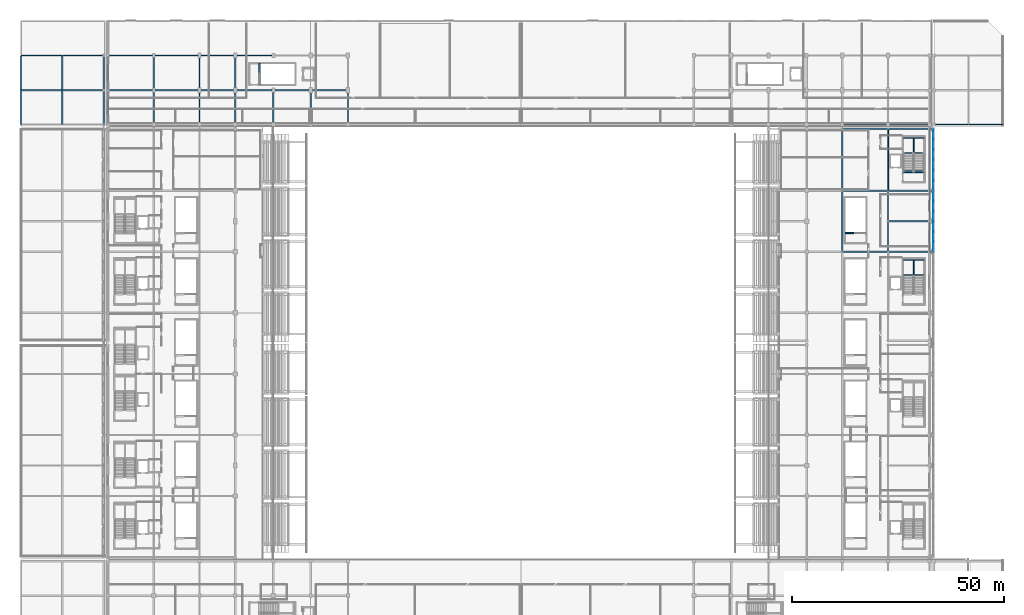
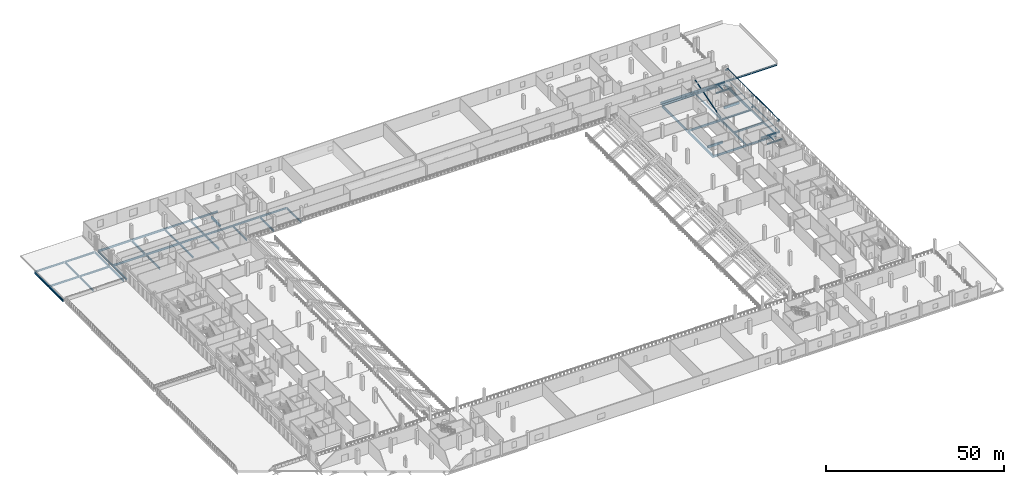
# One storey, part 20 of 74: 65 beams, 5 members.
"""IFC4 building model written with IfcOpenShell, lengths in metres."""

from ifc_helpers import new_model, si_unit, direction, frame, origin, origin_2d, place, context, subcontext, project, spatial, rectangle, hollow_rectangle, hollow_circle, i_section, extrude, material, material_profile, profile_set, type_object, element, save


model = new_model("IFC4")

# Units and contexts
model_context = context("Model", 3, precision=1e-05, world=origin(), true_north=direction((0.0, 1.0)))
body_context = subcontext(model_context, "Body", "Model", "MODEL_VIEW")
ifc_project = project(units=[si_unit("LENGTHUNIT", "METRE"), si_unit("AREAUNIT", "SQUARE_METRE"), si_unit("VOLUMEUNIT", "CUBIC_METRE"), si_unit("PLANEANGLEUNIT", "RADIAN"), si_unit("MASSUNIT", "GRAM", prefix="KILO")], contexts=[model_context])

# Site, building, storey
site_placement = place(None, origin())
site = spatial("IfcSite", under=ifc_project, at=site_placement, CompositionType="ELEMENT")
building_placement = place(site_placement, origin())
building = spatial("IfcBuilding", under=site, at=building_placement, Name="Koshinbarg Plaza Stadium", CompositionType="ELEMENT")
storey_placement = place(building_placement, frame((0.0, 0.0, 15.0)))
storey = spatial("IfcBuildingStorey", under=building, at=storey_placement, Name="L03", CompositionType="ELEMENT", Elevation=15.0)

# Beams
ifc_material_1 = material(Name="Steel S355", Category="steel")
ifc_material_profile_1 = material_profile(ifc_material_1, i_section(OverallWidth=0.300048828125, OverallDepth=0.5, WebThickness=0.014404296875, FlangeThickness=0.028076171875, at=origin_2d()), Name="HEB 500")
ifc_profile_set_1 = profile_set([ifc_material_profile_1], Name="Steel S355")
beam_type_1 = type_object("IfcBeamType", Name="BM-CANOPY-CANT", PredefinedType="BEAM", material=ifc_profile_set_1)
for number, where, z_axis, x_axis, name in (
    (1, (218.39990234375, 97.5, 0.25), (1.0, 0.0, 0.0), (0.0, 1.0, 0.0), "Outer screen cantilever outrigger E-L03-Y06"),
    (2, (218.39990234375, 97.5, 4.179931640625), (1.0, 0.0, 0.0), (0.0, 1.0, 0.0), "Outer screen cantilever outrigger E-L03-Y06"),
    (3, (218.39990234375, 111.89990234375, 0.25), (1.0, 0.0, 0.0), (0.0, 1.0, 0.0), "Outer screen cantilever outrigger E-L03-Y07"),
    (4, (218.39990234375, 111.89990234375, 4.179931640625), (1.0, 0.0, 0.0), (0.0, 1.0, 0.0), "Outer screen cantilever outrigger E-L03-Y07"),
    (5, (218.39990234375, 126.5, 0.25), (1.0, 0.0, 0.0), (0.0, 1.0, 0.0), "Outer screen cantilever outrigger E-L03-Y08"),
    (6, (218.39990234375, 126.5, 4.179931640625), (1.0, 0.0, 0.0), (0.0, 1.0, 0.0), "Outer screen cantilever outrigger E-L03-Y08"),
):
    element("IfcBeam", number, at=place(storey_placement, frame(where, z_axis=z_axis, x_axis=x_axis)), inside=storey, type_object=beam_type_1, Name=name, PredefinedType="BEAM", context=body_context, shape_type="SweptSolid", body=[
        extrude(i_section(OverallWidth=0.300048828125, OverallDepth=0.5, WebThickness=0.014404296875, FlangeThickness=0.028076171875, at=origin_2d()), origin(), (0.0, 0.0, 1.0), 1.030029296875),
    ])
ifc_material_2 = material(Name="Concrete C40/50", Category="concrete")
ifc_material_profile_2 = material_profile(ifc_material_2, rectangle(XDim=0.39990234375, YDim=0.75, at=origin_2d()), Name="RC 400x750")
ifc_profile_set_2 = profile_set([ifc_material_profile_2], Name="Concrete C40/50")
beam_type_2 = type_object("IfcBeamType", Name="BM-RCG-03", PredefinedType="USERDEFINED", material=ifc_profile_set_2)
beam_1_placement = place(storey_placement, frame((212.14990234375, 116.360107421875, -0.375), z_axis=(1.0, 0.0, 0.0), x_axis=(0.0, 1.0, 0.0)))
element("IfcBeam", 7, at=beam_1_placement, inside=storey, type_object=beam_type_2, Name="L03 stair landing header beam C10", ObjectType="GIRDER", PredefinedType="USERDEFINED", context=body_context, shape_type="SweptSolid", body=[
    extrude(rectangle(XDim=0.39990234375, YDim=0.75, at=origin_2d()), origin(), (0.0, 0.0, 1.0), 4.97021484375),
])
for number, where, z_axis, x_axis, name in (
    (8, (60.360107421875, 136.949951171875, -0.375), (0.0, 1.0, 0.0), (-1.0, 0.0, 0.0), "L03 stair landing header beam C11"),
    (9, (198.449951171875, 101.9599609375, -0.375), (1.0, 0.0, 0.0), (0.0, 1.0, 0.0), "L03 stair landing header beam VX12"),
):
    element("IfcBeam", number, at=place(storey_placement, frame(where, z_axis=z_axis, x_axis=x_axis)), inside=storey, type_object=beam_type_2, Name=name, ObjectType="GIRDER", PredefinedType="USERDEFINED", context=body_context, shape_type="SweptSolid", body=[
        extrude(rectangle(XDim=0.39990234375, YDim=0.75, at=origin_2d()), origin(), (0.0, 0.0, 1.0), 4.969970703125),
    ])
ifc_material_profile_3 = material_profile(ifc_material_1, i_section(OverallWidth=0.179931640625, OverallDepth=0.39990234375, WebThickness=0.008544921875, FlangeThickness=0.013427734375, at=origin_2d()), Name="IPE 400")
ifc_profile_set_3 = profile_set([ifc_material_profile_3], Name="Steel S355")
beam_type_3 = type_object("IfcBeamType", Name="BM-SBM-01", PredefinedType="BEAM", material=ifc_profile_set_3)
for number, where, z_axis, x_axis, name in (
    (10, (212.14990234375, 92.010009765625, 1.8798828125), (1.0, 0.0, 0.0), (0.0, 1.0, 0.0), "L03 Protected Exit Stair C09 landing trimmer beam 1"),
    (11, (212.14990234375, 95.550048828125, 1.8798828125), (1.0, 0.0, 0.0), (0.0, 1.0, 0.0), "L03 Protected Exit Stair C09 landing trimmer beam 2"),
):
    element("IfcBeam", number, at=place(storey_placement, frame(where, z_axis=z_axis, x_axis=x_axis)), inside=storey, type_object=beam_type_3, Name=name, PredefinedType="BEAM", context=body_context, shape_type="SweptSolid", body=[
        extrude(i_section(OverallWidth=0.179931640625, OverallDepth=0.39990234375, WebThickness=0.008544921875, FlangeThickness=0.013427734375, at=origin_2d()), origin(), (0.0, 0.0, 1.0), 4.97021484375),
    ])
beam_2_placement = place(storey_placement, frame((214.635009765625, 92.010009765625, 1.8798828125), z_axis=(0.0, 1.0, 0.0), x_axis=(-1.0, 0.0, 0.0)))
element("IfcBeam", 12, at=beam_2_placement, inside=storey, type_object=beam_type_3, Name="L03 Protected Exit Stair C09 landing trimmer beam 3", PredefinedType="BEAM", context=body_context, shape_type="SweptSolid", body=[
    extrude(i_section(OverallWidth=0.179931640625, OverallDepth=0.39990234375, WebThickness=0.008544921875, FlangeThickness=0.013427734375, at=origin_2d()), origin(), (0.0, 0.0, 1.0), 3.5400390625),
])
for number, where, z_axis, x_axis, name in (
    (13, (212.14990234375, 120.81005859375, 1.8798828125), (1.0, 0.0, 0.0), (0.0, 1.0, 0.0), "L03 Protected Exit Stair C10 landing trimmer beam 1"),
    (14, (212.14990234375, 124.35009765625, 1.8798828125), (1.0, 0.0, 0.0), (0.0, 1.0, 0.0), "L03 Protected Exit Stair C10 landing trimmer beam 2"),
):
    element("IfcBeam", number, at=place(storey_placement, frame(where, z_axis=z_axis, x_axis=x_axis)), inside=storey, type_object=beam_type_3, Name=name, PredefinedType="BEAM", context=body_context, shape_type="SweptSolid", body=[
        extrude(i_section(OverallWidth=0.179931640625, OverallDepth=0.39990234375, WebThickness=0.008544921875, FlangeThickness=0.013427734375, at=origin_2d()), origin(), (0.0, 0.0, 1.0), 4.97021484375),
    ])
beam_3_placement = place(storey_placement, frame((214.635009765625, 120.81005859375, 1.8798828125), z_axis=(0.0, 1.0, 0.0), x_axis=(-1.0, 0.0, 0.0)))
element("IfcBeam", 15, at=beam_3_placement, inside=storey, type_object=beam_type_3, Name="L03 Protected Exit Stair C10 landing trimmer beam 3", PredefinedType="BEAM", context=body_context, shape_type="SweptSolid", body=[
    extrude(i_section(OverallWidth=0.179931640625, OverallDepth=0.39990234375, WebThickness=0.008544921875, FlangeThickness=0.013427734375, at=origin_2d()), origin(), (0.0, 0.0, 1.0), 3.5400390625),
])
ifc_material_profile_4 = material_profile(ifc_material_1, i_section(OverallWidth=0.300048828125, OverallDepth=0.60009765625, WebThickness=0.015380859375, FlangeThickness=0.030029296875, at=origin_2d()), Name="HEB 600")
ifc_profile_set_4 = profile_set([ifc_material_profile_4], Name="Steel S355")
beam_type_4 = type_object("IfcBeamType", Name="BM-SGIR-02", PredefinedType="USERDEFINED", material=ifc_profile_set_4)
for number, where, z_axis, x_axis, name in (
    (16, (208.659912109375, 97.5, -0.6201171875), (1.0, 0.0, 0.0), (0.0, 1.0, 0.0), "L03 X girder N/20-21"),
    (17, (208.659912109375, 104.699951171875, -0.6201171875), (1.0, 0.0, 0.0), (0.0, 1.0, 0.0), "L03 X girder P/20-21"),
    (18, (208.659912109375, 111.89990234375, -0.6201171875), (1.0, 0.0, 0.0), (0.0, 1.0, 0.0), "L03 X girder Q/20-21"),
    (19, (208.659912109375, 126.5, -0.6201171875), (1.0, 0.0, 0.0), (0.0, 1.0, 0.0), "L03 X girder R/20-21"),
    (20, (208.659912109375, 127.5, -0.6201171875), (1.0, 0.0, 0.0), (0.0, 1.0, 0.0), "L03 X girder S/20-21"),
):
    element("IfcBeam", number, at=place(storey_placement, frame(where, z_axis=z_axis, x_axis=x_axis)), inside=storey, type_object=beam_type_4, Name=name, ObjectType="GIRDER", PredefinedType="USERDEFINED", context=body_context, shape_type="SweptSolid", body=[
        extrude(i_section(OverallWidth=0.300048828125, OverallDepth=0.60009765625, WebThickness=0.015380859375, FlangeThickness=0.030029296875, at=origin_2d()), origin(), (0.0, 0.0, 1.0), 9.68017578125),
    ])
for number, where, z_axis, x_axis, name in (
    (21, (219.4599609375, 127.5, -0.60009765625), (1.0, 0.0, 0.0), (0.0, 1.0, 0.0), "L03 X girder S/22-23"),
    (22, (227.659912109375, 127.5, -0.60009765625), (1.0, 0.0, 0.0), (0.0, 1.0, 0.0), "L03 X girder S/23-24"),
):
    element("IfcBeam", number, at=place(storey_placement, frame(where, z_axis=z_axis, x_axis=x_axis)), inside=storey, type_object=beam_type_4, Name=name, ObjectType="GIRDER", PredefinedType="USERDEFINED", context=body_context, shape_type="SweptSolid", body=[
        extrude(i_section(OverallWidth=0.300048828125, OverallDepth=0.60009765625, WebThickness=0.015380859375, FlangeThickness=0.030029296875, at=origin_2d()), origin(), (0.0, 0.0, 1.0), 8.080078125),
    ])
for number, where, z_axis, x_axis, name in (
    (23, (4.06005859375, 135.60009765625, -0.60009765625), (1.0, 0.0, 0.0), (0.0, 1.0, 0.0), "L03 X girder T/2-3"),
    (24, (13.860107421875, 135.60009765625, -0.60009765625), (1.0, 0.0, 0.0), (0.0, 1.0, 0.0), "L03 X girder T/3-4"),
):
    element("IfcBeam", number, at=place(storey_placement, frame(where, z_axis=z_axis, x_axis=x_axis)), inside=storey, type_object=beam_type_4, Name=name, ObjectType="GIRDER", PredefinedType="USERDEFINED", context=body_context, shape_type="SweptSolid", body=[
        extrude(i_section(OverallWidth=0.300048828125, OverallDepth=0.60009765625, WebThickness=0.015380859375, FlangeThickness=0.030029296875, at=origin_2d()), origin(), (0.0, 0.0, 1.0), 9.679931640625),
    ])
beam_4_placement = place(storey_placement, frame((46.260009765625, 135.60009765625, -0.6201171875), z_axis=(1.0, 0.0, 0.0), x_axis=(0.0, 1.0, 0.0)))
element("IfcBeam", 25, at=beam_4_placement, inside=storey, type_object=beam_type_4, Name="L03 X girder T/7-8", ObjectType="GIRDER", PredefinedType="USERDEFINED", context=body_context, shape_type="SweptSolid", body=[
    extrude(i_section(OverallWidth=0.300048828125, OverallDepth=0.60009765625, WebThickness=0.015380859375, FlangeThickness=0.030029296875, at=origin_2d()), origin(), (0.0, 0.0, 1.0), 8.280029296875),
])
beam_5_placement = place(storey_placement, frame((54.659912109375, 135.60009765625, -0.6201171875), z_axis=(1.0, 0.0, 0.0), x_axis=(0.0, 1.0, 0.0)))
element("IfcBeam", 26, at=beam_5_placement, inside=storey, type_object=beam_type_4, Name="L03 X girder T/8-9", ObjectType="GIRDER", PredefinedType="USERDEFINED", context=body_context, shape_type="SweptSolid", body=[
    extrude(i_section(OverallWidth=0.300048828125, OverallDepth=0.60009765625, WebThickness=0.015380859375, FlangeThickness=0.030029296875, at=origin_2d()), origin(), (0.0, 0.0, 1.0), 8.880126953125),
])
beam_6_placement = place(storey_placement, frame((63.659912109375, 135.60009765625, -0.6201171875), z_axis=(1.0, 0.0, 0.0), x_axis=(0.0, 1.0, 0.0)))
element("IfcBeam", 27, at=beam_6_placement, inside=storey, type_object=beam_type_4, Name="L03 X girder T/9-10", ObjectType="GIRDER", PredefinedType="USERDEFINED", context=body_context, shape_type="SweptSolid", body=[
    extrude(i_section(OverallWidth=0.300048828125, OverallDepth=0.60009765625, WebThickness=0.015380859375, FlangeThickness=0.030029296875, at=origin_2d()), origin(), (0.0, 0.0, 1.0), 8.68017578125),
])
beam_7_placement = place(storey_placement, frame((72.4599609375, 135.60009765625, -0.6201171875), z_axis=(1.0, 0.0, 0.0), x_axis=(0.0, 1.0, 0.0)))
element("IfcBeam", 28, at=beam_7_placement, inside=storey, type_object=beam_type_4, Name="L03 X girder T/10-11", ObjectType="GIRDER", PredefinedType="USERDEFINED", context=body_context, shape_type="SweptSolid", body=[
    extrude(i_section(OverallWidth=0.300048828125, OverallDepth=0.60009765625, WebThickness=0.015380859375, FlangeThickness=0.030029296875, at=origin_2d()), origin(), (0.0, 0.0, 1.0), 8.679931640625),
])
for number, where, z_axis, x_axis, name in (
    (29, (4.06005859375, 143.800048828125, -0.60009765625), (1.0, 0.0, 0.0), (0.0, 1.0, 0.0), "L03 X girder U/2-3"),
    (30, (13.860107421875, 143.800048828125, -0.60009765625), (1.0, 0.0, 0.0), (0.0, 1.0, 0.0), "L03 X girder U/3-4"),
):
    element("IfcBeam", number, at=place(storey_placement, frame(where, z_axis=z_axis, x_axis=x_axis)), inside=storey, type_object=beam_type_4, Name=name, ObjectType="GIRDER", PredefinedType="USERDEFINED", context=body_context, shape_type="SweptSolid", body=[
        extrude(i_section(OverallWidth=0.300048828125, OverallDepth=0.60009765625, WebThickness=0.015380859375, FlangeThickness=0.030029296875, at=origin_2d()), origin(), (0.0, 0.0, 1.0), 9.679931640625),
    ])
beam_8_placement = place(storey_placement, frame((46.260009765625, 143.800048828125, -0.6201171875), z_axis=(1.0, 0.0, 0.0), x_axis=(0.0, 1.0, 0.0)))
element("IfcBeam", 31, at=beam_8_placement, inside=storey, type_object=beam_type_4, Name="L03 X girder U/7-8", ObjectType="GIRDER", PredefinedType="USERDEFINED", context=body_context, shape_type="SweptSolid", body=[
    extrude(i_section(OverallWidth=0.300048828125, OverallDepth=0.60009765625, WebThickness=0.015380859375, FlangeThickness=0.030029296875, at=origin_2d()), origin(), (0.0, 0.0, 1.0), 8.280029296875),
])
beam_9_placement = place(storey_placement, frame((54.659912109375, 143.800048828125, -0.6201171875), z_axis=(1.0, 0.0, 0.0), x_axis=(0.0, 1.0, 0.0)))
element("IfcBeam", 32, at=beam_9_placement, inside=storey, type_object=beam_type_4, Name="L03 X girder U/8-9", ObjectType="GIRDER", PredefinedType="USERDEFINED", context=body_context, shape_type="SweptSolid", body=[
    extrude(i_section(OverallWidth=0.300048828125, OverallDepth=0.60009765625, WebThickness=0.015380859375, FlangeThickness=0.030029296875, at=origin_2d()), origin(), (0.0, 0.0, 1.0), 8.880126953125),
])
beam_10_placement = place(storey_placement, frame((13.800048828125, 127.56005859375, -0.60009765625), z_axis=(0.0, 1.0, 0.0), x_axis=(-1.0, 0.0, 0.0)))
element("IfcBeam", 33, at=beam_10_placement, inside=storey, type_object=beam_type_4, Name="L03 Y girder 3/S-T", ObjectType="GIRDER", PredefinedType="USERDEFINED", context=body_context, shape_type="SweptSolid", body=[
    extrude(i_section(OverallWidth=0.300048828125, OverallDepth=0.60009765625, WebThickness=0.015380859375, FlangeThickness=0.030029296875, at=origin_2d()), origin(), (0.0, 0.0, 1.0), 7.97998046875),
])
beam_11_placement = place(storey_placement, frame((13.800048828125, 135.659912109375, -0.60009765625), z_axis=(0.0, 1.0, 0.0), x_axis=(-1.0, 0.0, 0.0)))
element("IfcBeam", 34, at=beam_11_placement, inside=storey, type_object=beam_type_4, Name="L03 Y girder 3/T-U", ObjectType="GIRDER", PredefinedType="USERDEFINED", context=body_context, shape_type="SweptSolid", body=[
    extrude(i_section(OverallWidth=0.300048828125, OverallDepth=0.60009765625, WebThickness=0.015380859375, FlangeThickness=0.030029296875, at=origin_2d()), origin(), (0.0, 0.0, 1.0), 8.080078125),
])
beam_12_placement = place(storey_placement, frame((24.60009765625, 127.56005859375, -0.6201171875), z_axis=(0.0, 1.0, 0.0), x_axis=(-1.0, 0.0, 0.0)))
element("IfcBeam", 35, at=beam_12_placement, inside=storey, type_object=beam_type_4, Name="L03 Y girder 5/S-T", ObjectType="GIRDER", PredefinedType="USERDEFINED", context=body_context, shape_type="SweptSolid", body=[
    extrude(i_section(OverallWidth=0.300048828125, OverallDepth=0.60009765625, WebThickness=0.015380859375, FlangeThickness=0.030029296875, at=origin_2d()), origin(), (0.0, 0.0, 1.0), 7.97998046875),
])
beam_13_placement = place(storey_placement, frame((24.60009765625, 135.659912109375, -0.6201171875), z_axis=(0.0, 1.0, 0.0), x_axis=(-1.0, 0.0, 0.0)))
element("IfcBeam", 36, at=beam_13_placement, inside=storey, type_object=beam_type_4, Name="L03 Y girder 5/T-U", ObjectType="GIRDER", PredefinedType="USERDEFINED", context=body_context, shape_type="SweptSolid", body=[
    extrude(i_section(OverallWidth=0.300048828125, OverallDepth=0.60009765625, WebThickness=0.015380859375, FlangeThickness=0.030029296875, at=origin_2d()), origin(), (0.0, 0.0, 1.0), 8.080078125),
])
beam_14_placement = place(storey_placement, frame((46.199951171875, 127.56005859375, -0.6201171875), z_axis=(0.0, 1.0, 0.0), x_axis=(-1.0, 0.0, 0.0)))
element("IfcBeam", 37, at=beam_14_placement, inside=storey, type_object=beam_type_4, Name="L03 Y girder 7/S-T", ObjectType="GIRDER", PredefinedType="USERDEFINED", context=body_context, shape_type="SweptSolid", body=[
    extrude(i_section(OverallWidth=0.300048828125, OverallDepth=0.60009765625, WebThickness=0.015380859375, FlangeThickness=0.030029296875, at=origin_2d()), origin(), (0.0, 0.0, 1.0), 7.97998046875),
])
beam_15_placement = place(storey_placement, frame((46.199951171875, 135.659912109375, -0.6201171875), z_axis=(0.0, 1.0, 0.0), x_axis=(-1.0, 0.0, 0.0)))
element("IfcBeam", 38, at=beam_15_placement, inside=storey, type_object=beam_type_4, Name="L03 Y girder 7/T-U", ObjectType="GIRDER", PredefinedType="USERDEFINED", context=body_context, shape_type="SweptSolid", body=[
    extrude(i_section(OverallWidth=0.300048828125, OverallDepth=0.60009765625, WebThickness=0.015380859375, FlangeThickness=0.030029296875, at=origin_2d()), origin(), (0.0, 0.0, 1.0), 8.080078125),
])
for number, where, z_axis, x_axis, name in (
    (39, (63.60009765625, 127.56005859375, -0.6201171875), (0.0, 1.0, 0.0), (-1.0, 0.0, 0.0), "L03 Y girder 9/S-T"),
    (40, (81.199951171875, 127.56005859375, -0.6201171875), (0.0, 1.0, 0.0), (-1.0, 0.0, 0.0), "L03 Y girder 11/S-T"),
):
    element("IfcBeam", number, at=place(storey_placement, frame(where, z_axis=z_axis, x_axis=x_axis)), inside=storey, type_object=beam_type_4, Name=name, ObjectType="GIRDER", PredefinedType="USERDEFINED", context=body_context, shape_type="SweptSolid", body=[
        extrude(i_section(OverallWidth=0.300048828125, OverallDepth=0.60009765625, WebThickness=0.015380859375, FlangeThickness=0.030029296875, at=origin_2d()), origin(), (0.0, 0.0, 1.0), 7.97998046875),
    ])
beam_16_placement = place(storey_placement, frame((218.39990234375, 97.56005859375, -0.6201171875), z_axis=(0.0, 1.0, 0.0), x_axis=(-1.0, 0.0, 0.0)))
element("IfcBeam", 41, at=beam_16_placement, inside=storey, type_object=beam_type_4, Name="L03 Y girder 21/N-P", ObjectType="GIRDER", PredefinedType="USERDEFINED", context=body_context, shape_type="SweptSolid", body=[
    extrude(i_section(OverallWidth=0.300048828125, OverallDepth=0.60009765625, WebThickness=0.015380859375, FlangeThickness=0.030029296875, at=origin_2d()), origin(), (0.0, 0.0, 1.0), 7.079833984375),
])
beam_17_placement = place(storey_placement, frame((218.39990234375, 104.760009765625, -0.6201171875), z_axis=(0.0, 1.0, 0.0), x_axis=(-1.0, 0.0, 0.0)))
element("IfcBeam", 42, at=beam_17_placement, inside=storey, type_object=beam_type_4, Name="L03 Y girder 21/P-Q", ObjectType="GIRDER", PredefinedType="USERDEFINED", context=body_context, shape_type="SweptSolid", body=[
    extrude(i_section(OverallWidth=0.300048828125, OverallDepth=0.60009765625, WebThickness=0.015380859375, FlangeThickness=0.030029296875, at=origin_2d()), origin(), (0.0, 0.0, 1.0), 7.080078125),
])
ifc_material_profile_5 = material_profile(ifc_material_1, i_section(OverallWidth=0.300048828125, OverallDepth=0.699951171875, WebThickness=0.01708984375, FlangeThickness=0.031982421875, at=origin_2d()), Name="HEB 700")
ifc_profile_set_5 = profile_set([ifc_material_profile_5], Name="Steel S355")
beam_type_5 = type_object("IfcBeamType", Name="BM-SGIR-03", PredefinedType="USERDEFINED", material=ifc_profile_set_5)
for number, where, z_axis, x_axis, name in (
    (43, (197.860107421875, 97.5, -0.669921875), (1.0, 0.0, 0.0), (0.0, 1.0, 0.0), "L03 X girder N/19-20"),
    (44, (197.860107421875, 111.89990234375, -0.669921875), (1.0, 0.0, 0.0), (0.0, 1.0, 0.0), "L03 X girder Q/19-20"),
    (45, (197.860107421875, 126.5, -0.669921875), (1.0, 0.0, 0.0), (0.0, 1.0, 0.0), "L03 X girder R/19-20"),
    (46, (197.860107421875, 127.5, -0.669921875), (1.0, 0.0, 0.0), (0.0, 1.0, 0.0), "L03 X girder S/19-20"),
):
    element("IfcBeam", number, at=place(storey_placement, frame(where, z_axis=z_axis, x_axis=x_axis)), inside=storey, type_object=beam_type_5, Name=name, ObjectType="GIRDER", PredefinedType="USERDEFINED", context=body_context, shape_type="SweptSolid", body=[
        extrude(i_section(OverallWidth=0.300048828125, OverallDepth=0.699951171875, WebThickness=0.01708984375, FlangeThickness=0.031982421875, at=origin_2d()), origin(), (0.0, 0.0, 1.0), 10.679931640625),
    ])
beam_18_placement = place(storey_placement, frame((24.659912109375, 135.60009765625, -0.669921875), z_axis=(1.0, 0.0, 0.0), x_axis=(0.0, 1.0, 0.0)))
element("IfcBeam", 47, at=beam_18_placement, inside=storey, type_object=beam_type_5, Name="L03 X girder T/5-6", ObjectType="GIRDER", PredefinedType="USERDEFINED", context=body_context, shape_type="SweptSolid", body=[
    extrude(i_section(OverallWidth=0.300048828125, OverallDepth=0.699951171875, WebThickness=0.01708984375, FlangeThickness=0.031982421875, at=origin_2d()), origin(), (0.0, 0.0, 1.0), 10.68017578125),
])
beam_19_placement = place(storey_placement, frame((35.4599609375, 135.60009765625, -0.669921875), z_axis=(1.0, 0.0, 0.0), x_axis=(0.0, 1.0, 0.0)))
element("IfcBeam", 48, at=beam_19_placement, inside=storey, type_object=beam_type_5, Name="L03 X girder T/6-7", ObjectType="GIRDER", PredefinedType="USERDEFINED", context=body_context, shape_type="SweptSolid", body=[
    extrude(i_section(OverallWidth=0.300048828125, OverallDepth=0.699951171875, WebThickness=0.01708984375, FlangeThickness=0.031982421875, at=origin_2d()), origin(), (0.0, 0.0, 1.0), 10.679931640625),
])
beam_20_placement = place(storey_placement, frame((24.659912109375, 143.800048828125, -0.669921875), z_axis=(1.0, 0.0, 0.0), x_axis=(0.0, 1.0, 0.0)))
element("IfcBeam", 49, at=beam_20_placement, inside=storey, type_object=beam_type_5, Name="L03 X girder U/5-6", ObjectType="GIRDER", PredefinedType="USERDEFINED", context=body_context, shape_type="SweptSolid", body=[
    extrude(i_section(OverallWidth=0.300048828125, OverallDepth=0.699951171875, WebThickness=0.01708984375, FlangeThickness=0.031982421875, at=origin_2d()), origin(), (0.0, 0.0, 1.0), 10.68017578125),
])
beam_21_placement = place(storey_placement, frame((35.4599609375, 143.800048828125, -0.669921875), z_axis=(1.0, 0.0, 0.0), x_axis=(0.0, 1.0, 0.0)))
element("IfcBeam", 50, at=beam_21_placement, inside=storey, type_object=beam_type_5, Name="L03 X girder U/6-7", ObjectType="GIRDER", PredefinedType="USERDEFINED", context=body_context, shape_type="SweptSolid", body=[
    extrude(i_section(OverallWidth=0.300048828125, OverallDepth=0.699951171875, WebThickness=0.01708984375, FlangeThickness=0.031982421875, at=origin_2d()), origin(), (0.0, 0.0, 1.0), 10.679931640625),
])
beam_22_placement = place(storey_placement, frame((4.0, 127.56005859375, -0.64990234375), z_axis=(0.0, 1.0, 0.0), x_axis=(-1.0, 0.0, 0.0)))
element("IfcBeam", 51, at=beam_22_placement, inside=storey, type_object=beam_type_5, Name="L03 Y girder 2/S-T", ObjectType="GIRDER", PredefinedType="USERDEFINED", context=body_context, shape_type="SweptSolid", body=[
    extrude(i_section(OverallWidth=0.300048828125, OverallDepth=0.699951171875, WebThickness=0.01708984375, FlangeThickness=0.031982421875, at=origin_2d()), origin(), (0.0, 0.0, 1.0), 7.97998046875),
])
beam_23_placement = place(storey_placement, frame((4.0, 135.659912109375, -0.64990234375), z_axis=(0.0, 1.0, 0.0), x_axis=(-1.0, 0.0, 0.0)))
element("IfcBeam", 52, at=beam_23_placement, inside=storey, type_object=beam_type_5, Name="L03 Y girder 2/T-U", ObjectType="GIRDER", PredefinedType="USERDEFINED", context=body_context, shape_type="SweptSolid", body=[
    extrude(i_section(OverallWidth=0.300048828125, OverallDepth=0.699951171875, WebThickness=0.01708984375, FlangeThickness=0.031982421875, at=origin_2d()), origin(), (0.0, 0.0, 1.0), 8.080078125),
])
beam_24_placement = place(storey_placement, frame((23.60009765625, 127.56005859375, -0.64990234375), z_axis=(0.0, 1.0, 0.0), x_axis=(-1.0, 0.0, 0.0)))
element("IfcBeam", 53, at=beam_24_placement, inside=storey, type_object=beam_type_5, Name="L03 Y girder 4/S-T", ObjectType="GIRDER", PredefinedType="USERDEFINED", context=body_context, shape_type="SweptSolid", body=[
    extrude(i_section(OverallWidth=0.300048828125, OverallDepth=0.699951171875, WebThickness=0.01708984375, FlangeThickness=0.031982421875, at=origin_2d()), origin(), (0.0, 0.0, 1.0), 7.97998046875),
])
beam_25_placement = place(storey_placement, frame((23.60009765625, 135.659912109375, -0.64990234375), z_axis=(0.0, 1.0, 0.0), x_axis=(-1.0, 0.0, 0.0)))
element("IfcBeam", 54, at=beam_25_placement, inside=storey, type_object=beam_type_5, Name="L03 Y girder 4/T-U", ObjectType="GIRDER", PredefinedType="USERDEFINED", context=body_context, shape_type="SweptSolid", body=[
    extrude(i_section(OverallWidth=0.300048828125, OverallDepth=0.699951171875, WebThickness=0.01708984375, FlangeThickness=0.031982421875, at=origin_2d()), origin(), (0.0, 0.0, 1.0), 8.080078125),
])
beam_26_placement = place(storey_placement, frame((35.39990234375, 127.56005859375, -0.669921875), z_axis=(0.0, 1.0, 0.0), x_axis=(-1.0, 0.0, 0.0)))
element("IfcBeam", 55, at=beam_26_placement, inside=storey, type_object=beam_type_5, Name="L03 Y girder 6/S-T", ObjectType="GIRDER", PredefinedType="USERDEFINED", context=body_context, shape_type="SweptSolid", body=[
    extrude(i_section(OverallWidth=0.300048828125, OverallDepth=0.699951171875, WebThickness=0.01708984375, FlangeThickness=0.031982421875, at=origin_2d()), origin(), (0.0, 0.0, 1.0), 7.97998046875),
])
beam_27_placement = place(storey_placement, frame((35.39990234375, 135.659912109375, -0.669921875), z_axis=(0.0, 1.0, 0.0), x_axis=(-1.0, 0.0, 0.0)))
element("IfcBeam", 56, at=beam_27_placement, inside=storey, type_object=beam_type_5, Name="L03 Y girder 6/T-U", ObjectType="GIRDER", PredefinedType="USERDEFINED", context=body_context, shape_type="SweptSolid", body=[
    extrude(i_section(OverallWidth=0.300048828125, OverallDepth=0.699951171875, WebThickness=0.01708984375, FlangeThickness=0.031982421875, at=origin_2d()), origin(), (0.0, 0.0, 1.0), 8.080078125),
])
beam_28_placement = place(storey_placement, frame((54.60009765625, 127.56005859375, -0.669921875), z_axis=(0.0, 1.0, 0.0), x_axis=(-1.0, 0.0, 0.0)))
element("IfcBeam", 57, at=beam_28_placement, inside=storey, type_object=beam_type_5, Name="L03 Y girder 8/S-T", ObjectType="GIRDER", PredefinedType="USERDEFINED", context=body_context, shape_type="SweptSolid", body=[
    extrude(i_section(OverallWidth=0.300048828125, OverallDepth=0.699951171875, WebThickness=0.01708984375, FlangeThickness=0.031982421875, at=origin_2d()), origin(), (0.0, 0.0, 1.0), 7.97998046875),
])
beam_29_placement = place(storey_placement, frame((54.60009765625, 135.659912109375, -0.669921875), z_axis=(0.0, 1.0, 0.0), x_axis=(-1.0, 0.0, 0.0)))
element("IfcBeam", 58, at=beam_29_placement, inside=storey, type_object=beam_type_5, Name="L03 Y girder 8/T-U", ObjectType="GIRDER", PredefinedType="USERDEFINED", context=body_context, shape_type="SweptSolid", body=[
    extrude(i_section(OverallWidth=0.300048828125, OverallDepth=0.699951171875, WebThickness=0.01708984375, FlangeThickness=0.031982421875, at=origin_2d()), origin(), (0.0, 0.0, 1.0), 8.080078125),
])
beam_30_placement = place(storey_placement, frame((72.39990234375, 127.56005859375, -0.669921875), z_axis=(0.0, 1.0, 0.0), x_axis=(-1.0, 0.0, 0.0)))
element("IfcBeam", 59, at=beam_30_placement, inside=storey, type_object=beam_type_5, Name="L03 Y girder 10/S-T", ObjectType="GIRDER", PredefinedType="USERDEFINED", context=body_context, shape_type="SweptSolid", body=[
    extrude(i_section(OverallWidth=0.300048828125, OverallDepth=0.699951171875, WebThickness=0.01708984375, FlangeThickness=0.031982421875, at=origin_2d()), origin(), (0.0, 0.0, 1.0), 7.97998046875),
])
beam_31_placement = place(storey_placement, frame((208.60009765625, 97.56005859375, -0.669921875), z_axis=(0.0, 1.0, 0.0), x_axis=(-1.0, 0.0, 0.0)))
element("IfcBeam", 60, at=beam_31_placement, inside=storey, type_object=beam_type_5, Name="L03 Y girder 20/N-P", ObjectType="GIRDER", PredefinedType="USERDEFINED", context=body_context, shape_type="SweptSolid", body=[
    extrude(i_section(OverallWidth=0.300048828125, OverallDepth=0.699951171875, WebThickness=0.01708984375, FlangeThickness=0.031982421875, at=origin_2d()), origin(), (0.0, 0.0, 1.0), 7.079833984375),
])
beam_32_placement = place(storey_placement, frame((208.60009765625, 104.760009765625, -0.669921875), z_axis=(0.0, 1.0, 0.0), x_axis=(-1.0, 0.0, 0.0)))
element("IfcBeam", 61, at=beam_32_placement, inside=storey, type_object=beam_type_5, Name="L03 Y girder 20/P-Q", ObjectType="GIRDER", PredefinedType="USERDEFINED", context=body_context, shape_type="SweptSolid", body=[
    extrude(i_section(OverallWidth=0.300048828125, OverallDepth=0.699951171875, WebThickness=0.01708984375, FlangeThickness=0.031982421875, at=origin_2d()), origin(), (0.0, 0.0, 1.0), 7.080078125),
])
ifc_material_profile_6 = material_profile(ifc_material_1, i_section(OverallWidth=0.300048828125, OverallDepth=0.89990234375, WebThickness=0.0185546875, FlangeThickness=0.034912109375, at=origin_2d()), Name="HEB 900")
ifc_profile_set_6 = profile_set([ifc_material_profile_6], Name="Steel S355")
beam_type_6 = type_object("IfcBeamType", Name="BM-SGIR-05", PredefinedType="USERDEFINED", material=ifc_profile_set_6)
beam_33_placement = place(storey_placement, frame((197.800048828125, 97.56005859375, -0.77001953125), z_axis=(0.0, 1.0, 0.0), x_axis=(-1.0, 0.0, 0.0)))
element("IfcBeam", 62, at=beam_33_placement, inside=storey, type_object=beam_type_6, Name="L03 Y girder 19/N-Q", ObjectType="GIRDER", PredefinedType="USERDEFINED", context=body_context, shape_type="SweptSolid", body=[
    extrude(i_section(OverallWidth=0.300048828125, OverallDepth=0.89990234375, WebThickness=0.0185546875, FlangeThickness=0.034912109375, at=origin_2d()), origin(), (0.0, 0.0, 1.0), 14.280029296875),
])
for number, where, z_axis, x_axis, name in (
    (63, (197.800048828125, 111.9599609375, -0.77001953125), (0.0, 1.0, 0.0), (-1.0, 0.0, 0.0), "L03 Y girder 19/Q-R"),
    (64, (218.39990234375, 111.9599609375, -0.77001953125), (0.0, 1.0, 0.0), (-1.0, 0.0, 0.0), "L03 Y girder 21/Q-R"),
):
    element("IfcBeam", number, at=place(storey_placement, frame(where, z_axis=z_axis, x_axis=x_axis)), inside=storey, type_object=beam_type_6, Name=name, ObjectType="GIRDER", PredefinedType="USERDEFINED", context=body_context, shape_type="SweptSolid", body=[
        extrude(i_section(OverallWidth=0.300048828125, OverallDepth=0.89990234375, WebThickness=0.0185546875, FlangeThickness=0.034912109375, at=origin_2d()), origin(), (0.0, 0.0, 1.0), 14.47998046875),
    ])
ifc_material_profile_7 = material_profile(ifc_material_1, hollow_rectangle(XDim=0.25, YDim=0.449951171875, WallThickness=0.01611328125, at=origin_2d()), Name="RHS 450x250x16")
ifc_profile_set_7 = profile_set([ifc_material_profile_7], Name="Steel S355")
beam_type_7 = type_object("IfcBeamType", Name="BM-SGIR-06", PredefinedType="USERDEFINED", material=ifc_profile_set_7)
beam_34_placement = place(storey_placement, frame((208.60009765625, 111.9599609375, -0.544921875), z_axis=(0.0, 1.0, 0.0), x_axis=(-1.0, 0.0, 0.0)))
element("IfcBeam", 65, at=beam_34_placement, inside=storey, type_object=beam_type_7, Name="L03 Y girder 20/Q-R", ObjectType="GIRDER", PredefinedType="USERDEFINED", context=body_context, shape_type="SweptSolid", body=[
    extrude(hollow_rectangle(XDim=0.25, YDim=0.449951171875, WallThickness=0.01611328125, at=origin_2d()), origin(), (0.0, 0.0, 1.0), 14.47998046875),
])

# Members
ifc_material_profile_8 = material_profile(ifc_material_1, hollow_circle(Radius=0.109619140625, WallThickness=0.010009765625, at=origin_2d()), Name="CHS 219.1x10")
ifc_profile_set_8 = profile_set([ifc_material_profile_8], Name="Steel S355")
member_type_1 = type_object("IfcMemberType", Name="MB-BRACE-03", PredefinedType="BRACE", material=ifc_profile_set_8)
member_placement = place(storey_placement, frame((208.60009765625, 111.97998046875, 0.050048828125), z_axis=(0.0, 0.961097239183, 0.27621024028), x_axis=(-1.0, 0.0, 0.0)))
element("IfcMember", 66, at=member_placement, inside=storey, type_object=member_type_1, Name="L03 lateral frame brace 16", PredefinedType="BRACE", context=body_context, shape_type="SweptSolid", body=[
    extrude(hollow_circle(Radius=0.109619140625, WallThickness=0.010009765625, at=origin_2d()), origin(), (0.0, 0.0, 1.0), 15.0244140625),
])
ifc_material_profile_9 = material_profile(ifc_material_1, hollow_rectangle(XDim=0.10009765625, YDim=0.199951171875, WallThickness=0.008056640625, at=origin_2d()), Name="RHS 200x100x8")
ifc_profile_set_9 = profile_set([ifc_material_profile_9], Name="Steel S355")
member_type_2 = type_object("IfcMemberType", Name="MB-PURL-03", PredefinedType="PURLIN", material=ifc_profile_set_9)
for number, where, z_axis, x_axis, name in (
    (67, (219.35009765625, 97.5, 0.25), (0.0, 1.0, 0.0), (-1.0, 0.0, 0.0), "L03 outer screen subframe rail E-6-BOT"),
    (68, (219.35009765625, 97.5, 4.179931640625), (0.0, 1.0, 0.0), (-1.0, 0.0, 0.0), "L03 outer screen subframe rail E-6-TOP"),
):
    element("IfcMember", number, at=place(storey_placement, frame(where, z_axis=z_axis, x_axis=x_axis)), inside=storey, type_object=member_type_2, Name=name, PredefinedType="PURLIN", context=body_context, shape_type="SweptSolid", body=[
        extrude(hollow_rectangle(XDim=0.10009765625, YDim=0.199951171875, WallThickness=0.008056640625, at=origin_2d()), origin(), (0.0, 0.0, 1.0), 14.39990234375),
    ])
for number, where, z_axis, x_axis, name in (
    (69, (219.35009765625, 111.89990234375, 0.25), (0.0, 1.0, 0.0), (-1.0, 0.0, 0.0), "L03 outer screen subframe rail E-7-BOT"),
    (70, (219.35009765625, 111.89990234375, 4.179931640625), (0.0, 1.0, 0.0), (-1.0, 0.0, 0.0), "L03 outer screen subframe rail E-7-TOP"),
):
    element("IfcMember", number, at=place(storey_placement, frame(where, z_axis=z_axis, x_axis=x_axis)), inside=storey, type_object=member_type_2, Name=name, PredefinedType="PURLIN", context=body_context, shape_type="SweptSolid", body=[
        extrude(hollow_rectangle(XDim=0.10009765625, YDim=0.199951171875, WallThickness=0.008056640625, at=origin_2d()), origin(), (0.0, 0.0, 1.0), 14.60009765625),
    ])

save(model, "model.ifc")
